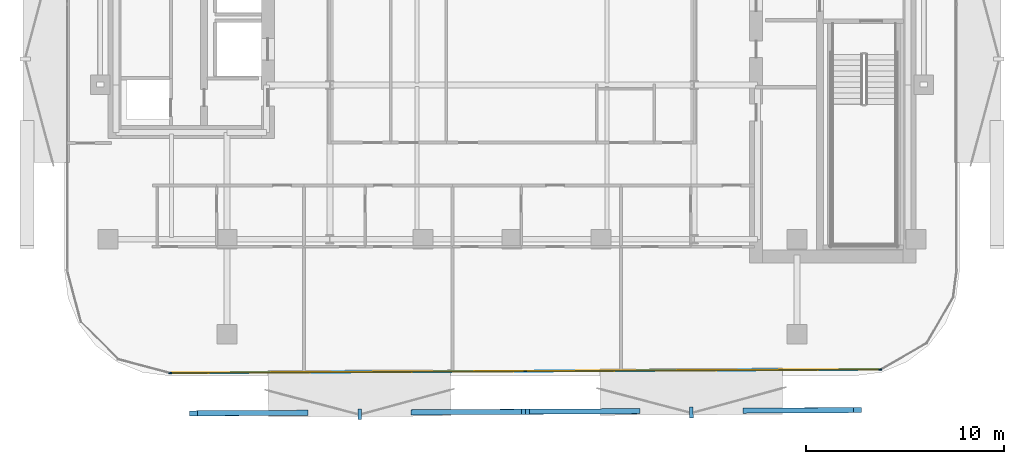
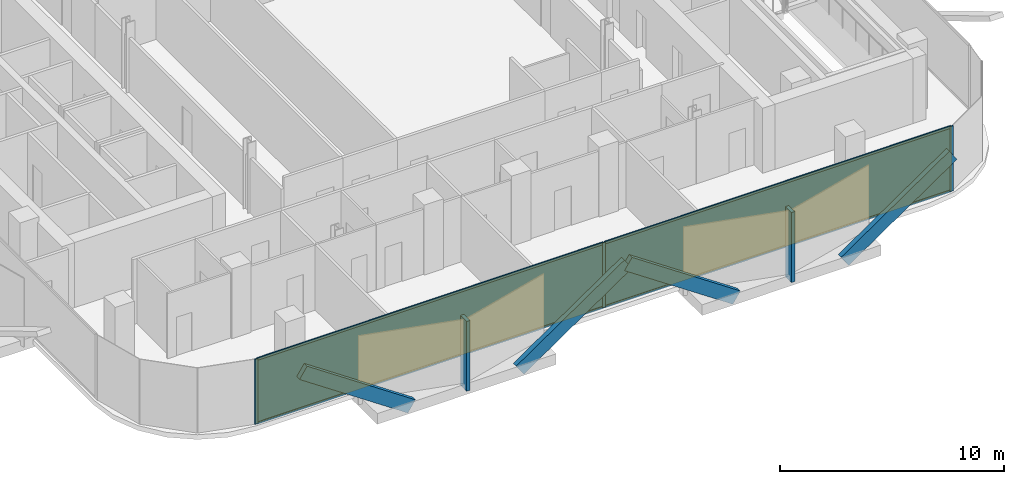
# One storey, part 9 of 17: 13 members, 2 plates, 1 curtain wall.
"""IFC4 building model written with IfcOpenShell, lengths in metres."""

import ifcopenshell
import ifcopenshell.guid

model = None  # the IFC model being written
_history = None  # IfcOwnerHistory: only IFC2X3 demands one
_inside = {}  # id of a spatial element -> (the spatial element, [elements in it])
_under = {}  # id of a project, library or spatial element -> (it, [spatial elements below it])
_declared = {}  # id of a project -> (the project, [libraries it declares])
_typed = {}  # id of a type object -> (the type object, [elements of that type])
_made_of = {}  # id of a material, layer set ... -> (it, [elements and type objects made of it])


def new_model(schema):
    """Start an empty IFC model of exactly this schema.

    Asked for "IFC4X3", IfcOpenShell would pick the latest addendum, in which some entities
    have other attributes; the version numbers below select the first issue.
    IFC2X3 requires an IfcOwnerHistory on every rooted entity: one is made here for all.
    """
    global model, _history
    if schema == "IFC4X3":
        model = ifcopenshell.file(schema_version=(4, 3, 0, 0))
    else:
        model = ifcopenshell.file(schema=schema)
    _inside.clear()
    _under.clear()
    _declared.clear()
    _typed.clear()
    _made_of.clear()
    _history = None
    if model.schema == "IFC2X3":
        org = make("IfcOrganization", Name="unknown")
        user = make(
            "IfcPersonAndOrganization",
            ThePerson=make("IfcPerson", FamilyName="unknown"),
            TheOrganization=org,
        )
        app = make(
            "IfcApplication",
            ApplicationDeveloper=org,
            Version="unknown",
            ApplicationFullName="unknown",
            ApplicationIdentifier="unknown",
        )
        _history = make(
            "IfcOwnerHistory",
            OwningUser=user,
            OwningApplication=app,
            ChangeAction="ADDED",
            CreationDate=0,
        )
    return model


def make(cls, **values):
    """One entity of the class cls with the attributes given. An attribute that is None is left unset."""
    return model.create_entity(
        cls, **{name: value for name, value in values.items() if value is not None}
    )


def rooted(cls, **values):
    """An entity with a GlobalId (a new one), such as an element, a storey or a relation."""
    return make(cls, GlobalId=ifcopenshell.guid.new(), OwnerHistory=_history, **values)


def si_unit(unit_type, name, prefix=None):
    """IfcSIUnit, for example si_unit("LENGTHUNIT", "METRE", prefix="MILLI")."""
    return make("IfcSIUnit", UnitType=unit_type, Prefix=prefix, Name=name)


def assignment(units):
    """IfcUnitAssignment: the units of a project."""
    return None if units is None else make("IfcUnitAssignment", Units=units)


def point(xyz):
    """IfcCartesianPoint."""
    return None if xyz is None else make("IfcCartesianPoint", Coordinates=xyz)


def direction(xyz):
    """IfcDirection."""
    return None if xyz is None else make("IfcDirection", DirectionRatios=xyz)


def frame(location, z_axis=None, x_axis=None):
    """IfcAxis2Placement3D, a coordinate frame: its origin and axes. An axis left out is left unset."""
    return make(
        "IfcAxis2Placement3D",
        Location=point(location),
        Axis=direction(z_axis),
        RefDirection=direction(x_axis),
    )


def frame_2d(location, x_axis=None):
    """IfcAxis2Placement2D, a coordinate frame in the plane: its origin and x axis."""
    return make(
        "IfcAxis2Placement2D", Location=point(location), RefDirection=direction(x_axis)
    )


def origin():
    """The frame at (0, 0, 0) with its axes left unset."""
    return frame((0.0, 0.0, 0.0))


def origin_2d():
    """The frame at (0, 0) in the plane with its x axis left unset."""
    return frame_2d((0.0, 0.0))


def place(relative_to, where):
    """IfcLocalPlacement: puts the frame where relative to a parent placement (None: the world)."""
    return make(
        "IfcLocalPlacement", PlacementRelTo=relative_to, RelativePlacement=where
    )


def context(
    kind, dimensions, precision=None, world=None, true_north=None, identifier=None
):
    """IfcGeometricRepresentationContext, for example the 3D "Model" context."""
    return make(
        "IfcGeometricRepresentationContext",
        ContextIdentifier=identifier,
        ContextType=kind,
        CoordinateSpaceDimension=dimensions,
        Precision=precision,
        WorldCoordinateSystem=world,
        TrueNorth=true_north,
    )


def subcontext(parent, identifier, kind, view, scale=None):
    """IfcGeometricRepresentationSubContext, for example "Body" below "Model"."""
    return make(
        "IfcGeometricRepresentationSubContext",
        ContextIdentifier=identifier,
        ContextType=kind,
        ParentContext=parent,
        TargetScale=scale,
        TargetView=view,
    )


def project(units=None, contexts=None):
    """IfcProject with its units and contexts."""
    return rooted(
        "IfcProject",
        Name="project",
        RepresentationContexts=contexts,
        UnitsInContext=assignment(units),
    )


def spatial(cls, under=None, at=None, **own):
    """A site, building, storey or space (cls), placed at a placement, below another one or the project."""
    s = rooted(cls, ObjectPlacement=at, **own)
    if under is not None:
        _under.setdefault(under.id(), (under, []))[1].append(s)
    return s


def profile(cls, at=None, kind="AREA", **sizes):
    """A parametric profile (cls). Its sizes go by their IFC names, for example OverallWidth=200.0."""
    return make(cls, ProfileType=kind, Position=at, **sizes)


def rectangle(**sizes):
    """IfcRectangleProfileDef."""
    return profile("IfcRectangleProfileDef", **sizes)


def extrude(swept, where, along, depth):
    """IfcExtrudedAreaSolid: the profile swept, set in the frame where, extruded along a direction by depth."""
    return make(
        "IfcExtrudedAreaSolid",
        SweptArea=swept,
        Position=where,
        ExtrudedDirection=direction(along),
        Depth=depth,
    )


def shape(context_of_items, identifier, shape_type, items):
    """IfcShapeRepresentation: the items that make up one representation, for example the "Body"."""
    return make(
        "IfcShapeRepresentation",
        ContextOfItems=context_of_items,
        RepresentationIdentifier=identifier,
        RepresentationType=shape_type,
        Items=items,
    )


def material(Name=None, Category=None):
    """IfcMaterial."""
    return make("IfcMaterial", Name=Name, Category=Category)


def layer(
    of_material, thickness, ventilated=None, Name=None, Category=None, Priority=None
):
    """IfcMaterialLayer: one layer of a wall or slab, of a material (None: an air gap)."""
    return make(
        "IfcMaterialLayer",
        Material=of_material,
        LayerThickness=thickness,
        IsVentilated=ventilated,
        Name=Name,
        Category=Category,
        Priority=Priority,
    )


def layer_set(layers, Name=None):
    """IfcMaterialLayerSet."""
    return make("IfcMaterialLayerSet", MaterialLayers=layers, LayerSetName=Name)


def material_profile(
    of_material, cross_section, Name=None, Category=None, Priority=None
):
    """IfcMaterialProfile: a cross section and its material."""
    return make(
        "IfcMaterialProfile",
        Name=Name,
        Material=of_material,
        Profile=cross_section,
        Priority=Priority,
        Category=Category,
    )


def profile_set(profiles, Name=None, composite=None):
    """IfcMaterialProfileSet."""
    return make(
        "IfcMaterialProfileSet",
        Name=Name,
        MaterialProfiles=profiles,
        CompositeProfile=composite,
    )


def made_of(thing, what):
    """Note that an element or type object is made of a material, layer set ...; save() writes the relation."""
    if what is not None:
        _made_of.setdefault(what.id(), (what, []))[1].append(thing)
    return thing


def type_object(cls, material=None, **own):
    """A type object (cls), such as IfcWallType, which elements share."""
    return made_of(rooted(cls, **own), material)


def element(
    cls,
    number,
    at=None,
    inside=None,
    cuts=None,
    type_object=None,
    material=None,
    context=None,
    identifier="Body",
    shape_type=None,
    held_by="IfcProductDefinitionShape",
    body=None,
    shapes=None,
    **own,
):
    """One element of the class cls, such as IfcWall. Its Tag is "e" and its number.

    at: its placement. inside: the storey or other place that contains it. cuts: it is an
    opening in that element (IfcRelVoidsElement). A single representation is given by context,
    identifier, shape_type and body (its items); several are given by shapes. held_by: the class
    of the entity that holds the representations. save() writes the other relations.
    """
    e = rooted(cls, Tag="e%d" % number, ObjectPlacement=at, **own)
    if body is not None:
        shapes = [shape(context, identifier, shape_type, body)]
    if shapes is not None:
        e.Representation = make(held_by, Representations=shapes)
    if inside is not None:
        _inside.setdefault(inside.id(), (inside, []))[1].append(e)
    if cuts is not None:
        rooted(
            "IfcRelVoidsElement", RelatingBuildingElement=cuts, RelatedOpeningElement=e
        )
    if type_object is not None:
        _typed.setdefault(type_object.id(), (type_object, []))[1].append(e)
    return made_of(e, material)


def aggregate(whole, parts):
    """IfcRelAggregates: a whole, such as a stair, and the parts it consists of."""
    return rooted("IfcRelAggregates", RelatingObject=whole, RelatedObjects=parts)


def save(model, path):
    """Write the relations noted so far, then the file.

    IfcRelAggregates (storeys below a building ...), IfcRelContainedInSpatialStructure (elements
    in a storey), IfcRelDefinesByType, IfcRelAssociatesMaterial and IfcRelDeclares: one each for
    every whole, place, type object, material and project.
    """
    for whole, parts in _under.values():
        aggregate(whole, parts)
    for where, things in _inside.values():
        rooted(
            "IfcRelContainedInSpatialStructure",
            RelatedElements=things,
            RelatingStructure=where,
        )
    for kind, things in _typed.values():
        rooted("IfcRelDefinesByType", RelatedObjects=things, RelatingType=kind)
    for what, things in _made_of.values():
        rooted("IfcRelAssociatesMaterial", RelatedObjects=things, RelatingMaterial=what)
    for by, libraries in _declared.values():
        rooted("IfcRelDeclares", RelatingContext=by, RelatedDefinitions=libraries)
    model.write(path)


model = new_model("IFC4")

# Units and contexts
model_context = context("Model", 3, precision=1e-05, world=origin(), true_north=direction((0.0, 1.0)))
body_context = subcontext(model_context, "Body", "Model", "MODEL_VIEW")
ifc_project = project(units=[si_unit("LENGTHUNIT", "METRE"), si_unit("AREAUNIT", "SQUARE_METRE"), si_unit("VOLUMEUNIT", "CUBIC_METRE"), si_unit("PLANEANGLEUNIT", "RADIAN"), si_unit("MASSUNIT", "GRAM", prefix="KILO")], contexts=[model_context])

# Member
ifc_material_1 = material(Name="Anodised Bronze Aluminium 6063-T6", Category="aluminium")
ifc_material_profile_1 = material_profile(ifc_material_1, rectangle(XDim=0.260009765625, YDim=0.699951171875, at=origin_2d()))
ifc_profile_set_1 = profile_set([ifc_material_profile_1], Name="Anodised Bronze Aluminium 6063-T6")
member_type_1 = type_object("IfcMemberType", Name="Bronze Diamond Solar-Screen Lattice Rib BDL-700", PredefinedType="MULLION", material=ifc_profile_set_1)
site_placement = place(None, origin())
building_placement = place(site_placement, origin())
storey_placement = place(building_placement, frame((0.0, 0.0, 191.60009765625)))
member_1_placement = place(storey_placement, frame((6.27001953125, -27.283935546875, -0.130126953125), z_axis=(-0.826888697943, -0.004082598107, 0.562350792305), x_axis=(-0.00768530149, 0.999962302626, -0.00404097366)))
member_1 = element("IfcMember", 1, at=member_1_placement, type_object=member_type_1, Name="L44 Bronze Diamond Solar Screen Lattice Rib 289A", PredefinedType="MULLION", context=body_context, shape_type="SweptSolid", body=[
    extrude(rectangle(XDim=0.260009765625, YDim=0.699951171875, at=origin_2d()), origin(), (0.0, 0.0, 1.0), 6.75732421875),
])

member_2_placement = place(storey_placement, frame((11.857666015625, -27.25634765625, -0.130126953125), z_axis=(0.826888819371, 0.004046469514, 0.562350874885), x_axis=(0.007641611663, -0.999962637455, -0.004040973385)))
member_2 = element("IfcMember", 2, at=member_2_placement, type_object=member_type_1, Name="L44 Bronze Diamond Solar Screen Lattice Rib 289B", PredefinedType="MULLION", context=body_context, shape_type="SweptSolid", body=[
    extrude(rectangle(XDim=0.260009765625, YDim=0.699951171875, at=origin_2d()), origin(), (0.0, 0.0, 1.0), 6.75732421875),
])

member_3_placement = place(storey_placement, frame((-10.4931640625, -27.366455078125, -0.130126953125), z_axis=(-0.826888697943, -0.004082598107, 0.562350792305), x_axis=(-0.00768530149, 0.999962302626, -0.00404097366)))
member_3 = element("IfcMember", 3, at=member_3_placement, type_object=member_type_1, Name="L44 Bronze Diamond Solar Screen Lattice Rib 290A", PredefinedType="MULLION", context=body_context, shape_type="SweptSolid", body=[
    extrude(rectangle(XDim=0.260009765625, YDim=0.699951171875, at=origin_2d()), origin(), (0.0, 0.0, 1.0), 6.75732421875),
])

member_4_placement = place(storey_placement, frame((-4.905517578125, -27.339111328125, -0.130126953125), z_axis=(0.82690012347, 0.004082476143, 0.562333992564), x_axis=(0.00768500369, -0.999962304689, -0.004041029491)))
member_4 = element("IfcMember", 4, at=member_4_placement, type_object=member_type_1, Name="L44 Bronze Diamond Solar Screen Lattice Rib 290B", PredefinedType="MULLION", context=body_context, shape_type="SweptSolid", body=[
    extrude(rectangle(XDim=0.260009765625, YDim=0.699951171875, at=origin_2d()), origin(), (0.0, 0.0, 1.0), 6.757568359375),
])

ifc_material_2 = material(Name="Anodised Bronze Aluminium 6063-T6", Category="aluminium")
ifc_material_profile_2 = material_profile(ifc_material_2, rectangle(XDim=0.179931640625, YDim=0.5400390625, at=origin_2d()))
ifc_profile_set_2 = profile_set([ifc_material_profile_2], Name="Anodised Bronze Aluminium 6063-T6")
member_type_2 = type_object("IfcMemberType", Name="Bronze Solar-Screen Vertical Fold Fin BSF-540", PredefinedType="MULLION", material=ifc_profile_set_2)
member_5_placement = place(storey_placement, frame((9.064208984375, -27.35009765625, -0.130126953125), z_axis=(0.0, 0.0, 1.0), x_axis=(-0.999988059021, -0.004886902454, 0.0)))
member_5 = element("IfcMember", 5, at=member_5_placement, type_object=member_type_2, Name="L44 Bronze Solar Screen Vertical Fin 289", PredefinedType="MULLION", context=body_context, shape_type="SweptSolid", body=[
    extrude(rectangle(XDim=0.179931640625, YDim=0.5400390625, at=origin_2d()), origin(), (0.0, 0.0, 1.0), 3.800048828125),
])

member_6_placement = place(storey_placement, frame((-7.698974609375, -27.432861328125, -0.130126953125), z_axis=(0.0, 0.0, 1.0), x_axis=(-0.999988059021, -0.004886902454, 0.0)))
member_6 = element("IfcMember", 6, at=member_6_placement, type_object=member_type_2, Name="L44 Bronze Solar Screen Vertical Fin 290", PredefinedType="MULLION", context=body_context, shape_type="SweptSolid", body=[
    extrude(rectangle(XDim=0.179931640625, YDim=0.5400390625, at=origin_2d()), origin(), (0.0, 0.0, 1.0), 3.800048828125),
])

ifc_material_3 = material(Name="Anodised Bronze Aluminium 6063-T6", Category="aluminium")
ifc_material_profile_3 = material_profile(ifc_material_3, rectangle(XDim=0.06005859375, YDim=0.1650390625, at=origin_2d()))
ifc_profile_set_3 = profile_set([ifc_material_profile_3], Name="Anodised Bronze Aluminium 6063-T6")
member_type_3 = type_object("IfcMemberType", Name="CW-Z3 Mullion 60x165", PredefinedType="MULLION", material=ifc_profile_set_3)
member_7_placement = place(storey_placement, frame((18.605224609375, -25.18310546875, 0.0), z_axis=(0.0, 0.0, 1.0), x_axis=(0.004926734175, -0.999987863572, 0.0)))
member_7 = element("IfcMember", 7, at=member_7_placement, type_object=member_type_3, Name="CW-Z3 mullion 1", PredefinedType="MULLION", context=body_context, shape_type="SweptSolid", body=[
    extrude(rectangle(XDim=0.06005859375, YDim=0.1650390625, at=origin_2d()), origin(), (0.0, 0.0, 1.0), 3.539794921875),
])

member_8_placement = place(storey_placement, frame((0.672119140625, -25.271484375, 0.0), z_axis=(0.0, 0.0, 1.0), x_axis=(0.004926734175, -0.999987863572, 0.0)))
member_8 = element("IfcMember", 8, at=member_8_placement, type_object=member_type_3, Name="CW-Z3 mullion 2", PredefinedType="MULLION", context=body_context, shape_type="SweptSolid", body=[
    extrude(rectangle(XDim=0.06005859375, YDim=0.1650390625, at=origin_2d()), origin(), (0.0, 0.0, 1.0), 3.539794921875),
])

member_9_placement = place(storey_placement, frame((-17.2607421875, -25.35986328125, 0.0), z_axis=(0.0, 0.0, 1.0), x_axis=(0.004926734175, -0.999987863572, 0.0)))
member_9 = element("IfcMember", 9, at=member_9_placement, type_object=member_type_3, Name="CW-Z3 mullion 3", PredefinedType="MULLION", context=body_context, shape_type="SweptSolid", body=[
    extrude(rectangle(XDim=0.06005859375, YDim=0.1650390625, at=origin_2d()), origin(), (0.0, 0.0, 1.0), 3.539794921875),
])

ifc_material_4 = material(Name="Anodised Bronze Aluminium 6063-T6", Category="aluminium")
ifc_material_profile_4 = material_profile(ifc_material_4, rectangle(XDim=0.06005859375, YDim=0.1298828125, at=origin_2d()))
ifc_profile_set_4 = profile_set([ifc_material_profile_4], Name="Anodised Bronze Aluminium 6063-T6")
member_type_4 = type_object("IfcMemberType", Name="CW-Z3 Transom 60x130", PredefinedType="USERDEFINED", material=ifc_profile_set_4)
member_10_placement = place(storey_placement, frame((18.5751953125, -25.183349609375, 0.02978515625), z_axis=(-0.999987909339, -0.0049174359, 0.0), x_axis=(0.0049174359, -0.999987909339, 0.0)))
member_10 = element("IfcMember", 10, at=member_10_placement, type_object=member_type_4, Name="CW-Z3 transom 1.1", ObjectType="TRANSOM", PredefinedType="USERDEFINED", context=body_context, shape_type="SweptSolid", body=[
    extrude(rectangle(XDim=0.06005859375, YDim=0.1298828125, at=origin_2d()), origin(), (0.0, 0.0, 1.0), 17.873291015625),
])

member_11_placement = place(storey_placement, frame((18.5751953125, -25.183349609375, 3.510009765625), z_axis=(-0.999987909339, -0.0049174359, 0.0), x_axis=(0.0049174359, -0.999987909339, 0.0)))
member_11 = element("IfcMember", 11, at=member_11_placement, type_object=member_type_4, Name="CW-Z3 transom 1.2", ObjectType="TRANSOM", PredefinedType="USERDEFINED", context=body_context, shape_type="SweptSolid", body=[
    extrude(rectangle(XDim=0.06005859375, YDim=0.1298828125, at=origin_2d()), origin(), (0.0, 0.0, 1.0), 17.873291015625),
])

member_12_placement = place(storey_placement, frame((0.64208984375, -25.271728515625, 0.02978515625), z_axis=(-0.999987909009, -0.00491750307, 0.0), x_axis=(0.00491750307, -0.999987909009, 0.0)))
member_12 = element("IfcMember", 12, at=member_12_placement, type_object=member_type_4, Name="CW-Z3 transom 2.1", ObjectType="TRANSOM", PredefinedType="USERDEFINED", context=body_context, shape_type="SweptSolid", body=[
    extrude(rectangle(XDim=0.06005859375, YDim=0.1298828125, at=origin_2d()), origin(), (0.0, 0.0, 1.0), 17.873046875),
])

member_13_placement = place(storey_placement, frame((0.64208984375, -25.271728515625, 3.510009765625), z_axis=(-0.999987909009, -0.00491750307, 0.0), x_axis=(0.00491750307, -0.999987909009, 0.0)))
member_13 = element("IfcMember", 13, at=member_13_placement, type_object=member_type_4, Name="CW-Z3 transom 2.2", ObjectType="TRANSOM", PredefinedType="USERDEFINED", context=body_context, shape_type="SweptSolid", body=[
    extrude(rectangle(XDim=0.06005859375, YDim=0.1298828125, at=origin_2d()), origin(), (0.0, 0.0, 1.0), 17.873046875),
])

# Plate
ifc_material_5 = material(Name="Low-E Solar Control Laminated Glass", Category="glass")
ifc_layer_1 = layer(ifc_material_5, 0.030029296875, Name="Low-E Solar Control Laminated Glass")
ifc_layer_set_1 = layer_set([ifc_layer_1], Name="Low-E Solar Control Laminated Glass")
plate_type = type_object("IfcPlateType", Name="CW-Z3 Low-E Double Glazed Panel 30mm", PredefinedType="CURTAIN_PANEL", material=ifc_layer_set_1)
plate_1_placement = place(storey_placement, frame((9.638671875, -25.227294921875, 0.06005859375), z_axis=(0.0, 0.0, 1.0), x_axis=(-0.999987863572, -0.004926734175, 0.0)))
plate_1 = element("IfcPlate", 14, at=plate_1_placement, type_object=plate_type, Name="CW-Z3 panel 1.1", PredefinedType="CURTAIN_PANEL", context=body_context, shape_type="SweptSolid", body=[
    extrude(rectangle(XDim=17.873291015625, YDim=0.030029296875, at=origin_2d()), origin(), (0.0, 0.0, 1.0), 3.419921875),
])

plate_2_placement = place(storey_placement, frame((-8.294189453125, -25.315673828125, 0.06005859375), z_axis=(0.0, 0.0, 1.0), x_axis=(-0.999987863572, -0.004926734175, 0.0)))
plate_2 = element("IfcPlate", 15, at=plate_2_placement, type_object=plate_type, Name="CW-Z3 panel 2.1", PredefinedType="CURTAIN_PANEL", context=body_context, shape_type="SweptSolid", body=[
    extrude(rectangle(XDim=17.873291015625, YDim=0.030029296875, at=origin_2d()), origin(), (0.0, 0.0, 1.0), 3.419921875),
])

# Site, building, storey
site = spatial("IfcSite", under=ifc_project, at=site_placement, CompositionType="ELEMENT")
building = spatial("IfcBuilding", under=site, at=building_placement, Name="Khairoan Windgate Tower", CompositionType="ELEMENT")
storey = spatial("IfcBuildingStorey", under=building, at=storey_placement, Name="L44", CompositionType="ELEMENT", Elevation=191.60009765625)

# Curtain wall
ifc_material_6 = material(Name="Anodised Bronze Aluminium 6063-T6", Category="aluminium")
ifc_layer_2 = layer(ifc_material_6, 0.1650390625, Name="Anodised Bronze Aluminium 6063-T6")
ifc_layer_set_2 = layer_set([ifc_layer_2], Name="Anodised Bronze Aluminium 6063-T6")
curtain_wall_type = type_object("IfcCurtainWallType", Name="Luxury Hotel Acoustic Curtain Wall CW-Z3", PredefinedType="NOTDEFINED", material=ifc_layer_set_2)
curtain_wall_placement = place(storey_placement, frame((18.63525390625, -25.18310546875, 0.0), z_axis=(0.0, 0.0, 1.0), x_axis=(-0.999987863321, -0.004926785053, 0.0)))
curtain_wall = element("IfcCurtainWall", 16, at=curtain_wall_placement, inside=storey, type_object=curtain_wall_type, Name="L44 Unitised Curtain Wall 1", PredefinedType="NOTDEFINED", context=body_context, shape_type="SweptSolid", body=[
    extrude(rectangle(XDim=35.926513671875, YDim=0.010009765625, at=frame_2d((17.96337890625, 0.0))), origin(), (0.0, 0.0, 1.0), 3.539794921875),
])

aggregate(curtain_wall, [member_7, member_8, member_9, member_10, member_11, plate_1, member_12, member_13, plate_2, member_1, member_2, member_5, member_3, member_4, member_6])

save(model, "model.ifc")
